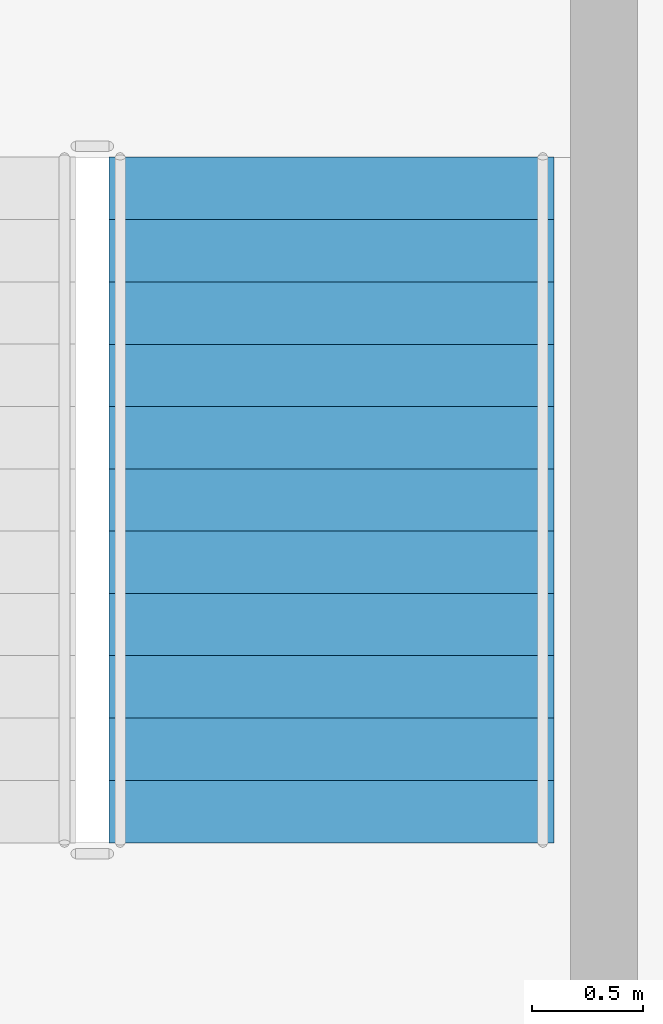
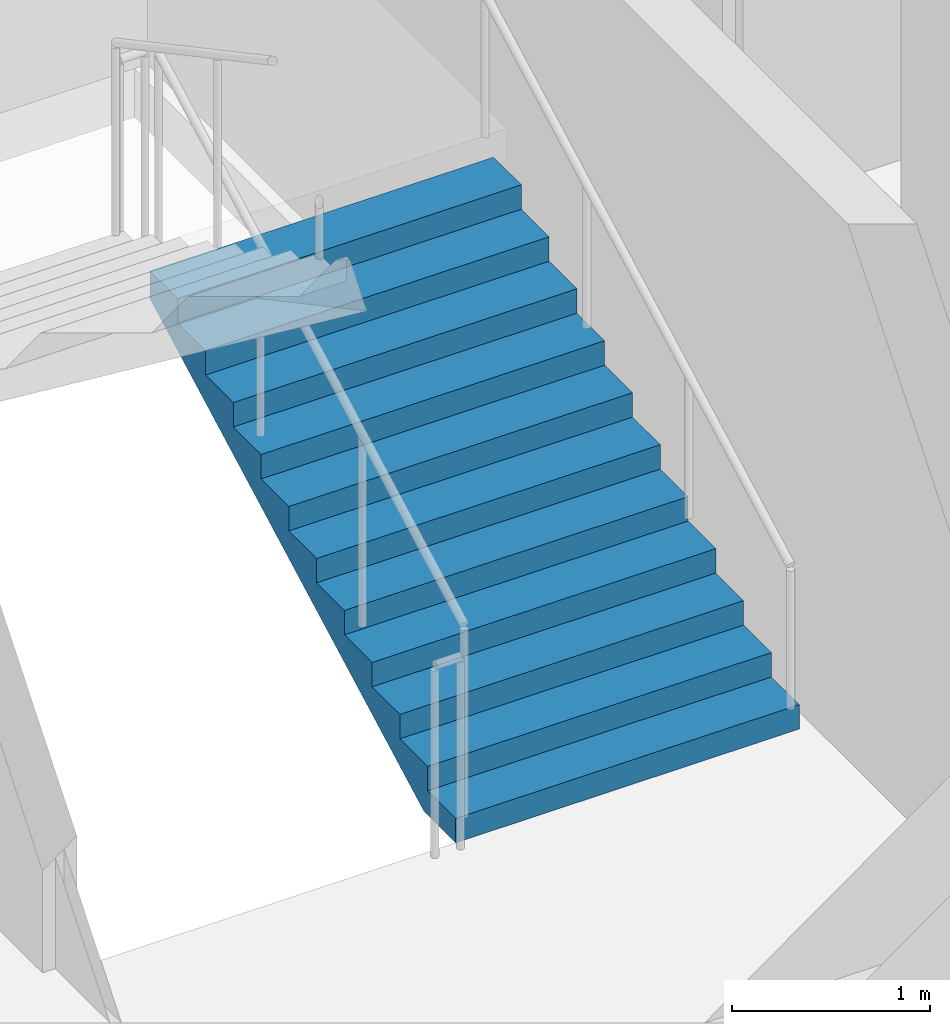
# One storey, part 14 of 17: 1 stair flight, 1 element without a shape of its own.
"""IFC4 building model written with IfcOpenShell, lengths in metres."""

from ifc_helpers import new_model, si_unit, direction, frame, origin, place, context, subcontext, project, spatial, polygons, material, type_object, element, aggregate, save


model = new_model("IFC4")

# Units and contexts
model_context = context("Model", 3, precision=1e-05, world=origin(), true_north=direction((0.0, 1.0)))
body_context = subcontext(model_context, "Body", "Model", "MODEL_VIEW")
ifc_project = project(units=[si_unit("LENGTHUNIT", "METRE"), si_unit("AREAUNIT", "SQUARE_METRE"), si_unit("VOLUMEUNIT", "CUBIC_METRE"), si_unit("PLANEANGLEUNIT", "RADIAN"), si_unit("MASSUNIT", "GRAM", prefix="KILO")], contexts=[model_context])

# Site, building, storey
site_placement = place(None, origin())
site = spatial("IfcSite", under=ifc_project, at=site_placement, CompositionType="ELEMENT")
building_placement = place(site_placement, origin())
building = spatial("IfcBuilding", under=site, at=building_placement, Name="Caravel Reach Hotel and Residences", CompositionType="ELEMENT")
storey_placement = place(building_placement, frame((0.0, 0.0, 126.0)))
storey = spatial("IfcBuildingStorey", under=building, at=storey_placement, Name="L31", CompositionType="ELEMENT", Elevation=126.0)

# Stair, stair flight
ifc_material_1 = material(Name="Concrete C40", Category="concrete")
stair_type = type_object("IfcStairType", Name="Core stair", PredefinedType="HALF_TURN_STAIR", material=ifc_material_1)
stair_placement = place(storey_placement, origin())
stair = element("IfcStair", 1, at=stair_placement, inside=storey, type_object=stair_type, Name="L31 Exit stair B", PredefinedType="HALF_TURN_STAIR")
ifc_material_2 = material(Name="Concrete C40", Category="concrete")
stair_flight_type = type_object("IfcStairFlightType", Name="Core stair flight", PredefinedType="STRAIGHT", material=ifc_material_2)
stair_flight_placement = place(storey_placement, frame((43.77490234375, 24.64990234375, 0.0), z_axis=(0.0, 0.0, 1.0), x_axis=(0.0, 1.0, 0.0)))
stair_flight = element("IfcStairFlight", 2, at=stair_flight_placement, type_object=stair_flight_type, Name="ST-B flight 1", NumberOfRisers=12, NumberOfTreads=11, PredefinedType="STRAIGHT", RiserHeight=0.15, TreadLength=0.28, context=body_context, shape_type="Tessellation", body=[
    polygons([(0.3174408016601862, 1.0, 0.0), (0.3174408016601862, 0.6666666666666667, 0.0), (0.3174408016601862, 0.33333333333333337, 0.0), (0.3174408016601862, 0.0, 0.0), (0.3174408016601862, -0.33333333333333326, 0.0), (0.3174408016601862, -0.6666666666666667, 0.0), (0.3174408016601862, -1.0, 0.0), (3.081, 1.0, 1.479942427682043), (3.081, 0.6666666666666667, 1.479942427682043), (3.081, 0.33333333333333337, 1.479942427682043), (3.081, 0.0, 1.479942427682043), (3.081, -0.33333333333333326, 1.479942427682043), (3.081, -0.6666666666666667, 1.479942427682043), (3.081, -1.0, 1.479942427682043), (3.081, 1.0, 1.65), (3.081, 0.6666666666666667, 1.65), (3.081, 0.33333333333333337, 1.65), (3.081, 0.0, 1.65), (3.081, -0.33333333333333326, 1.65), (3.081, -0.6666666666666667, 1.65), (3.081, -1.0, 1.65), (2.8000000000000003, 1.0, 1.65), (2.8000000000000003, 0.6666666666666667, 1.65), (2.8000000000000003, 0.33333333333333337, 1.65), (2.8000000000000003, 0.0, 1.65), (2.8000000000000003, -0.33333333333333326, 1.65), (2.8000000000000003, -0.6666666666666667, 1.65), (2.8000000000000003, -1.0, 1.65), (2.8000000000000003, 1.0, 1.5), (2.8000000000000003, 0.6666666666666667, 1.5), (2.8000000000000003, 0.33333333333333337, 1.5), (2.8000000000000003, 0.0, 1.5), (2.8000000000000003, -0.33333333333333326, 1.5), (2.8000000000000003, -0.6666666666666667, 1.5), (2.8000000000000003, -1.0, 1.5), (2.5200000000000005, 1.0, 1.5), (2.5200000000000005, 0.6666666666666667, 1.5), (2.5200000000000005, 0.33333333333333337, 1.5), (2.5200000000000005, 0.0, 1.5), (2.5200000000000005, -0.33333333333333326, 1.5), (2.5200000000000005, -0.6666666666666667, 1.5), (2.5200000000000005, -1.0, 1.5), (2.5200000000000005, 1.0, 1.3499999999999999), (2.5200000000000005, 0.6666666666666667, 1.3499999999999999), (2.5200000000000005, 0.33333333333333337, 1.3499999999999999), (2.5200000000000005, 0.0, 1.3499999999999999), (2.5200000000000005, -0.33333333333333326, 1.3499999999999999), (2.5200000000000005, -0.6666666666666667, 1.3499999999999999), (2.5200000000000005, -1.0, 1.3499999999999999), (2.24, 1.0, 1.3499999999999999), (2.24, 0.6666666666666667, 1.3499999999999999), (2.24, 0.33333333333333337, 1.3499999999999999), (2.24, 0.0, 1.3499999999999999), (2.24, -0.33333333333333326, 1.3499999999999999), (2.24, -0.6666666666666667, 1.3499999999999999), (2.24, -1.0, 1.3499999999999999), (2.24, 1.0, 1.2), (2.24, 0.6666666666666667, 1.2), (2.24, 0.33333333333333337, 1.2), (2.24, 0.0, 1.2), (2.24, -0.33333333333333326, 1.2), (2.24, -0.6666666666666667, 1.2), (2.24, -1.0, 1.2), (1.9600000000000002, 1.0, 1.2), (1.9600000000000002, 0.6666666666666667, 1.2), (1.9600000000000002, 0.33333333333333337, 1.2), (1.9600000000000002, 0.0, 1.2), (1.9600000000000002, -0.33333333333333326, 1.2), (1.9600000000000002, -0.6666666666666667, 1.2), (1.9600000000000002, -1.0, 1.2), (1.9600000000000002, 1.0, 1.05), (1.9600000000000002, 0.6666666666666667, 1.05), (1.9600000000000002, 0.33333333333333337, 1.05), (1.9600000000000002, 0.0, 1.05), (1.9600000000000002, -0.33333333333333326, 1.05), (1.9600000000000002, -0.6666666666666667, 1.05), (1.9600000000000002, -1.0, 1.05), (1.6800000000000002, 1.0, 1.05), (1.6800000000000002, 0.6666666666666667, 1.05), (1.6800000000000002, 0.33333333333333337, 1.05), (1.6800000000000002, 0.0, 1.05), (1.6800000000000002, -0.33333333333333326, 1.05), (1.6800000000000002, -0.6666666666666667, 1.05), (1.6800000000000002, -1.0, 1.05), (1.6800000000000002, 1.0, 0.8999999999999999), (1.6800000000000002, 0.6666666666666667, 0.8999999999999999), (1.6800000000000002, 0.33333333333333337, 0.8999999999999999), (1.6800000000000002, 0.0, 0.8999999999999999), (1.6800000000000002, -0.33333333333333326, 0.8999999999999999), (1.6800000000000002, -0.6666666666666667, 0.8999999999999999), (1.6800000000000002, -1.0, 0.8999999999999999), (1.4000000000000001, 1.0, 0.8999999999999999), (1.4000000000000001, 0.6666666666666667, 0.8999999999999999), (1.4000000000000001, 0.33333333333333337, 0.8999999999999999), (1.4000000000000001, 0.0, 0.8999999999999999), (1.4000000000000001, -0.33333333333333326, 0.8999999999999999), (1.4000000000000001, -0.6666666666666667, 0.8999999999999999), (1.4000000000000001, -1.0, 0.8999999999999999), (1.4000000000000001, 1.0, 0.75), (1.4000000000000001, 0.6666666666666667, 0.75), (1.4000000000000001, 0.33333333333333337, 0.75), (1.4000000000000001, 0.0, 0.75), (1.4000000000000001, -0.33333333333333326, 0.75), (1.4000000000000001, -0.6666666666666667, 0.75), (1.4000000000000001, -1.0, 0.75), (1.12, 1.0, 0.75), (1.12, 0.6666666666666667, 0.75), (1.12, 0.33333333333333337, 0.75), (1.12, 0.0, 0.75), (1.12, -0.33333333333333326, 0.75), (1.12, -0.6666666666666667, 0.75), (1.12, -1.0, 0.75), (1.12, 1.0, 0.6), (1.12, 0.6666666666666667, 0.6), (1.12, 0.33333333333333337, 0.6), (1.12, 0.0, 0.6), (1.12, -0.33333333333333326, 0.6), (1.12, -0.6666666666666667, 0.6), (1.12, -1.0, 0.6), (0.8400000000000001, 1.0, 0.6), (0.8400000000000001, 0.6666666666666667, 0.6), (0.8400000000000001, 0.33333333333333337, 0.6), (0.8400000000000001, 0.0, 0.6), (0.8400000000000001, -0.33333333333333326, 0.6), (0.8400000000000001, -0.6666666666666667, 0.6), (0.8400000000000001, -1.0, 0.6), (0.8400000000000001, 1.0, 0.44999999999999996), (0.8400000000000001, 0.6666666666666667, 0.44999999999999996), (0.8400000000000001, 0.33333333333333337, 0.44999999999999996), (0.8400000000000001, 0.0, 0.44999999999999996), (0.8400000000000001, -0.33333333333333326, 0.44999999999999996), (0.8400000000000001, -0.6666666666666667, 0.44999999999999996), (0.8400000000000001, -1.0, 0.44999999999999996), (0.56, 1.0, 0.44999999999999996), (0.56, 0.6666666666666667, 0.44999999999999996), (0.56, 0.33333333333333337, 0.44999999999999996), (0.56, 0.0, 0.44999999999999996), (0.56, -0.33333333333333326, 0.44999999999999996), (0.56, -0.6666666666666667, 0.44999999999999996), (0.56, -1.0, 0.44999999999999996), (0.56, 1.0, 0.3), (0.56, 0.6666666666666667, 0.3), (0.56, 0.33333333333333337, 0.3), (0.56, 0.0, 0.3), (0.56, -0.33333333333333326, 0.3), (0.56, -0.6666666666666667, 0.3), (0.56, -1.0, 0.3), (0.28, 1.0, 0.3), (0.28, 0.6666666666666667, 0.3), (0.28, 0.33333333333333337, 0.3), (0.28, 0.0, 0.3), (0.28, -0.33333333333333326, 0.3), (0.28, -0.6666666666666667, 0.3), (0.28, -1.0, 0.3), (0.28, 1.0, 0.15), (0.28, 0.6666666666666667, 0.15), (0.28, 0.33333333333333337, 0.15), (0.28, 0.0, 0.15), (0.28, -0.33333333333333326, 0.15), (0.28, -0.6666666666666667, 0.15), (0.28, -1.0, 0.15), (-0.001, 1.0, 0.15), (-0.001, 0.6666666666666667, 0.15), (-0.001, 0.33333333333333337, 0.15), (-0.001, 0.0, 0.15), (-0.001, -0.33333333333333326, 0.15), (-0.001, -0.6666666666666667, 0.15), (-0.001, -1.0, 0.15), (-0.001, 1.0, 0.0), (-0.001, 0.6666666666666667, 0.0), (-0.001, 0.33333333333333337, 0.0), (-0.001, 0.0, 0.0), (-0.001, -0.33333333333333326, 0.0), (-0.001, -0.6666666666666667, 0.0), (-0.001, -1.0, 0.0)], [[[169, 162, 155, 148, 141, 134, 127, 120, 113, 106, 99, 92, 85, 78, 71, 64, 57, 50, 43, 36, 29, 22, 15, 8, 1]], [[7, 14, 21, 28, 35, 42, 49, 56, 63, 70, 77, 84, 91, 98, 105, 112, 119, 126, 133, 140, 147, 154, 161, 168, 175]], [[1, 8, 9, 2]], [[2, 9, 10, 3]], [[3, 10, 11, 4]], [[4, 11, 12, 5]], [[5, 12, 13, 6]], [[6, 13, 14, 7]], [[8, 15, 16, 9]], [[9, 16, 17, 10]], [[10, 17, 18, 11]], [[11, 18, 19, 12]], [[12, 19, 20, 13]], [[13, 20, 21, 14]], [[15, 22, 23, 16]], [[16, 23, 24, 17]], [[17, 24, 25, 18]], [[18, 25, 26, 19]], [[19, 26, 27, 20]], [[20, 27, 28, 21]], [[22, 29, 30, 23]], [[23, 30, 31, 24]], [[24, 31, 32, 25]], [[25, 32, 33, 26]], [[26, 33, 34, 27]], [[27, 34, 35, 28]], [[29, 36, 37, 30]], [[30, 37, 38, 31]], [[31, 38, 39, 32]], [[32, 39, 40, 33]], [[33, 40, 41, 34]], [[34, 41, 42, 35]], [[36, 43, 44, 37]], [[37, 44, 45, 38]], [[38, 45, 46, 39]], [[39, 46, 47, 40]], [[40, 47, 48, 41]], [[41, 48, 49, 42]], [[43, 50, 51, 44]], [[44, 51, 52, 45]], [[45, 52, 53, 46]], [[46, 53, 54, 47]], [[47, 54, 55, 48]], [[48, 55, 56, 49]], [[50, 57, 58, 51]], [[51, 58, 59, 52]], [[52, 59, 60, 53]], [[53, 60, 61, 54]], [[54, 61, 62, 55]], [[55, 62, 63, 56]], [[57, 64, 65, 58]], [[58, 65, 66, 59]], [[59, 66, 67, 60]], [[60, 67, 68, 61]], [[61, 68, 69, 62]], [[62, 69, 70, 63]], [[64, 71, 72, 65]], [[65, 72, 73, 66]], [[66, 73, 74, 67]], [[67, 74, 75, 68]], [[68, 75, 76, 69]], [[69, 76, 77, 70]], [[71, 78, 79, 72]], [[72, 79, 80, 73]], [[73, 80, 81, 74]], [[74, 81, 82, 75]], [[75, 82, 83, 76]], [[76, 83, 84, 77]], [[78, 85, 86, 79]], [[79, 86, 87, 80]], [[80, 87, 88, 81]], [[81, 88, 89, 82]], [[82, 89, 90, 83]], [[83, 90, 91, 84]], [[85, 92, 93, 86]], [[86, 93, 94, 87]], [[87, 94, 95, 88]], [[88, 95, 96, 89]], [[89, 96, 97, 90]], [[90, 97, 98, 91]], [[92, 99, 100, 93]], [[93, 100, 101, 94]], [[94, 101, 102, 95]], [[95, 102, 103, 96]], [[96, 103, 104, 97]], [[97, 104, 105, 98]], [[99, 106, 107, 100]], [[100, 107, 108, 101]], [[101, 108, 109, 102]], [[102, 109, 110, 103]], [[103, 110, 111, 104]], [[104, 111, 112, 105]], [[106, 113, 114, 107]], [[107, 114, 115, 108]], [[108, 115, 116, 109]], [[109, 116, 117, 110]], [[110, 117, 118, 111]], [[111, 118, 119, 112]], [[113, 120, 121, 114]], [[114, 121, 122, 115]], [[115, 122, 123, 116]], [[116, 123, 124, 117]], [[117, 124, 125, 118]], [[118, 125, 126, 119]], [[120, 127, 128, 121]], [[121, 128, 129, 122]], [[122, 129, 130, 123]], [[123, 130, 131, 124]], [[124, 131, 132, 125]], [[125, 132, 133, 126]], [[127, 134, 135, 128]], [[128, 135, 136, 129]], [[129, 136, 137, 130]], [[130, 137, 138, 131]], [[131, 138, 139, 132]], [[132, 139, 140, 133]], [[134, 141, 142, 135]], [[135, 142, 143, 136]], [[136, 143, 144, 137]], [[137, 144, 145, 138]], [[138, 145, 146, 139]], [[139, 146, 147, 140]], [[141, 148, 149, 142]], [[142, 149, 150, 143]], [[143, 150, 151, 144]], [[144, 151, 152, 145]], [[145, 152, 153, 146]], [[146, 153, 154, 147]], [[148, 155, 156, 149]], [[149, 156, 157, 150]], [[150, 157, 158, 151]], [[151, 158, 159, 152]], [[152, 159, 160, 153]], [[153, 160, 161, 154]], [[155, 162, 163, 156]], [[156, 163, 164, 157]], [[157, 164, 165, 158]], [[158, 165, 166, 159]], [[159, 166, 167, 160]], [[160, 167, 168, 161]], [[162, 169, 170, 163]], [[163, 170, 171, 164]], [[164, 171, 172, 165]], [[165, 172, 173, 166]], [[166, 173, 174, 167]], [[167, 174, 175, 168]], [[169, 1, 2, 170]], [[170, 2, 3, 171]], [[171, 3, 4, 172]], [[172, 4, 5, 173]], [[173, 5, 6, 174]], [[174, 6, 7, 175]]], closed=True),
])
aggregate(stair, [stair_flight])

save(model, "model.ifc")
